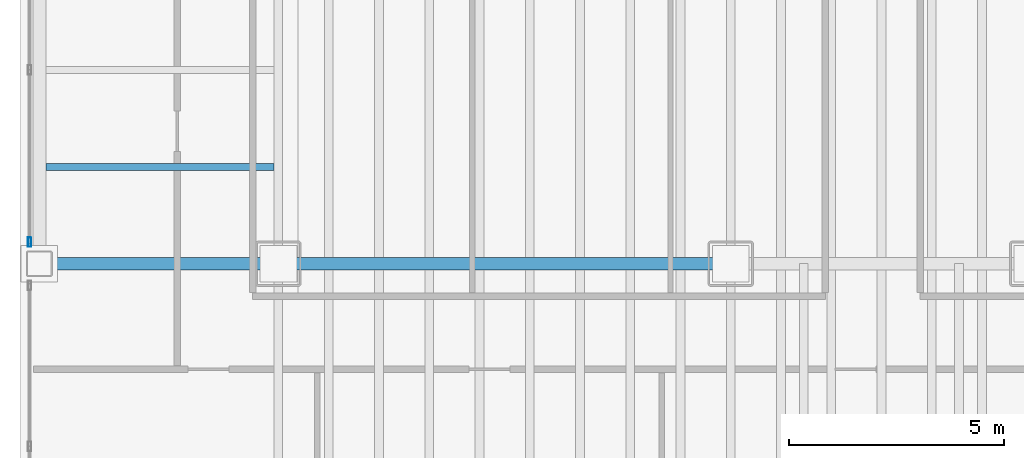
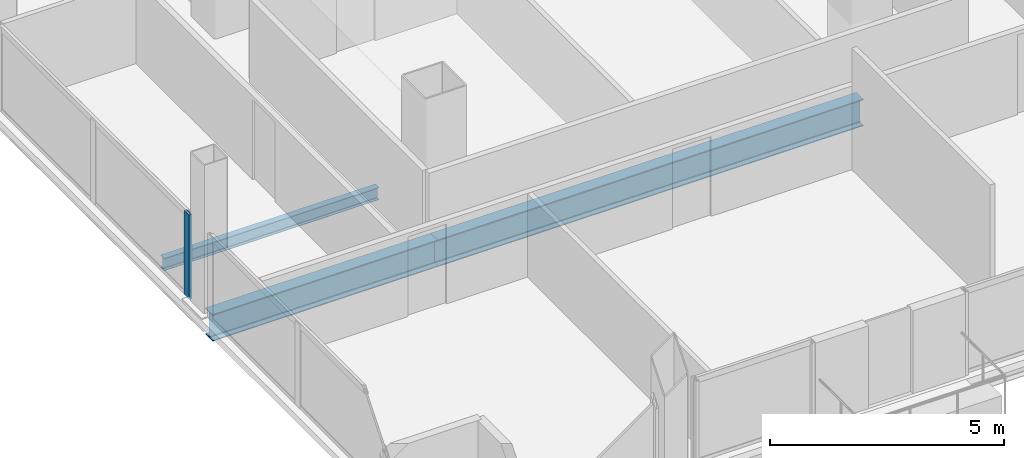
# One storey, part 4 of 21: 3 beams, 1 member, 1 element without a shape of its own.
"""IFC4 building model written with IfcOpenShell, lengths in metres."""

from ifc_helpers import new_model, si_unit, direction, frame, origin, origin_2d, place, context, subcontext, project, spatial, hollow_rectangle, i_section, extrude, material, material_profile, profile_set, type_object, element, aggregate, save


model = new_model("IFC4")

# Units and contexts
model_context = context("Model", 3, precision=1e-05, world=origin(), true_north=direction((0.0, 1.0)))
body_context = subcontext(model_context, "Body", "Model", "MODEL_VIEW")
ifc_project = project(units=[si_unit("LENGTHUNIT", "METRE"), si_unit("AREAUNIT", "SQUARE_METRE"), si_unit("VOLUMEUNIT", "CUBIC_METRE"), si_unit("PLANEANGLEUNIT", "RADIAN"), si_unit("MASSUNIT", "GRAM", prefix="KILO")], contexts=[model_context])

# Site, building, storey
site_placement = place(None, origin())
site = spatial("IfcSite", under=ifc_project, at=site_placement, CompositionType="ELEMENT")
building_placement = place(site_placement, origin())
building = spatial("IfcBuilding", under=site, at=building_placement, Name="Noeulbin Bourse Tower", CompositionType="ELEMENT")
storey_placement = place(building_placement, frame((0.0, 0.0, 96.699951171875)))
storey = spatial("IfcBuildingStorey", under=building, at=storey_placement, Name="L24", CompositionType="ELEMENT", Elevation=96.699951171875)

# Beams
ifc_material_1 = material(Name="Steel S355", Category="steel")
ifc_material_profile_1 = material_profile(ifc_material_1, i_section(OverallWidth=0.300048828125, OverallDepth=0.699951171875, WebThickness=0.012939453125, FlangeThickness=0.02392578125, FilletRadius=0.02392578125, at=origin_2d()), Name="H-700x300x13x24", Category="LoadBearing")
ifc_profile_set_1 = profile_set([ifc_material_profile_1], Name="Steel S355")
beam_type_1 = type_object("IfcBeamType", Name="BM-GRD-700", PredefinedType="USERDEFINED", material=ifc_profile_set_1)
beam_1_placement = place(storey_placement, frame((7.949951171875, 20.0, -0.530029296875), z_axis=(1.0, 0.0, 0.0), x_axis=(0.0, 1.0, 0.0)))
element("IfcBeam", 1, at=beam_1_placement, inside=storey, type_object=beam_type_1, Name="Tower Primary Girder EW L24-1.1", ObjectType="GIRDER", PredefinedType="USERDEFINED", context=body_context, shape_type="SweptSolid", body=[
    extrude(i_section(OverallWidth=0.300048828125, OverallDepth=0.699951171875, WebThickness=0.012939453125, FlangeThickness=0.02392578125, FilletRadius=0.02392578125, at=origin_2d()), origin(), (0.0, 0.0, 1.0), 5.550048828125),
])
beam_2_placement = place(storey_placement, frame((13.5, 20.0, -0.530029296875), z_axis=(1.0, 0.0, 0.0), x_axis=(0.0, 1.0, 0.0)))
element("IfcBeam", 2, at=beam_2_placement, inside=storey, type_object=beam_type_1, Name="Tower Primary Girder EW L24-1.2", ObjectType="GIRDER", PredefinedType="USERDEFINED", context=body_context, shape_type="SweptSolid", body=[
    extrude(i_section(OverallWidth=0.300048828125, OverallDepth=0.699951171875, WebThickness=0.012939453125, FlangeThickness=0.02392578125, FilletRadius=0.02392578125, at=origin_2d()), origin(), (0.0, 0.0, 1.0), 10.5),
])
ifc_material_profile_2 = material_profile(ifc_material_1, i_section(OverallWidth=0.159912109375, OverallDepth=0.320068359375, WebThickness=0.006591796875, FlangeThickness=0.010009765625, FilletRadius=0.012939453125, at=origin_2d()), Name="H-320x160x6.5x10", Category="LoadBearing")
ifc_profile_set_2 = profile_set([ifc_material_profile_2], Name="Steel S355")
beam_type_2 = type_object("IfcBeamType", Name="BM-JST-320", PredefinedType="JOIST", material=ifc_profile_set_2)
beam_3_placement = place(storey_placement, frame((8.10009765625, 22.25, -0.33984375), z_axis=(1.0, 0.0, 0.0), x_axis=(0.0, 1.0, 0.0)))
element("IfcBeam", 3, at=beam_3_placement, inside=storey, type_object=beam_type_2, Name="Wing Composite Joist L24-W70", PredefinedType="JOIST", context=body_context, shape_type="SweptSolid", body=[
    extrude(i_section(OverallWidth=0.159912109375, OverallDepth=0.320068359375, WebThickness=0.006591796875, FlangeThickness=0.010009765625, FilletRadius=0.012939453125, at=origin_2d()), origin(), (0.0, 0.0, 1.0), 5.2998046875),
])

# Curtain wall, member
ifc_material_2 = material(Name="Dark Solar-Control Double Glazing", Category="glass")
curtain_wall_type = type_object("IfcCurtainWallType", Name="CW-SYS-2", PredefinedType="NOTDEFINED", material=ifc_material_2)
curtain_wall_placement = place(storey_placement, origin())
curtain_wall = element("IfcCurtainWall", 4, at=curtain_wall_placement, inside=storey, type_object=curtain_wall_type, Name="Unitised Curtain Wall CW-L24-W-S2", PredefinedType="NOTDEFINED")
ifc_material_3 = material(Name="Anodised Aluminium 6063-T6", Category="aluminium")
ifc_material_profile_3 = material_profile(ifc_material_3, hollow_rectangle(XDim=0.074951171875, YDim=0.219970703125, WallThickness=0.0048828125, InnerFilletRadius=0.00244140625, OuterFilletRadius=0.0048828125, at=origin_2d()), Name="ALU-MULL-75x220x5", Category="LoadBearing")
ifc_profile_set_3 = profile_set([ifc_material_profile_3], Name="Anodised Aluminium 6063-T6")
member_type = type_object("IfcMemberType", Name="CW-SYS-2-MUL", PredefinedType="MULLION", material=ifc_profile_set_3)
member_placement = place(storey_placement, frame((7.719970703125, 20.5, -0.02001953125), z_axis=(0.0, 0.0, 1.0), x_axis=(1.0, 0.0, 0.0)))
member = element("IfcMember", 5, at=member_placement, type_object=member_type, Name="Curtain Wall Mullion CW-L24-W-S2-M00", PredefinedType="MULLION", context=body_context, shape_type="SweptSolid", body=[
    extrude(hollow_rectangle(XDim=0.074951171875, YDim=0.219970703125, WallThickness=0.0048828125, InnerFilletRadius=0.00244140625, OuterFilletRadius=0.0048828125, at=origin_2d()), origin(), (0.0, 0.0, 1.0), 2.199951171875),
])
aggregate(curtain_wall, [member])

save(model, "model.ifc")
